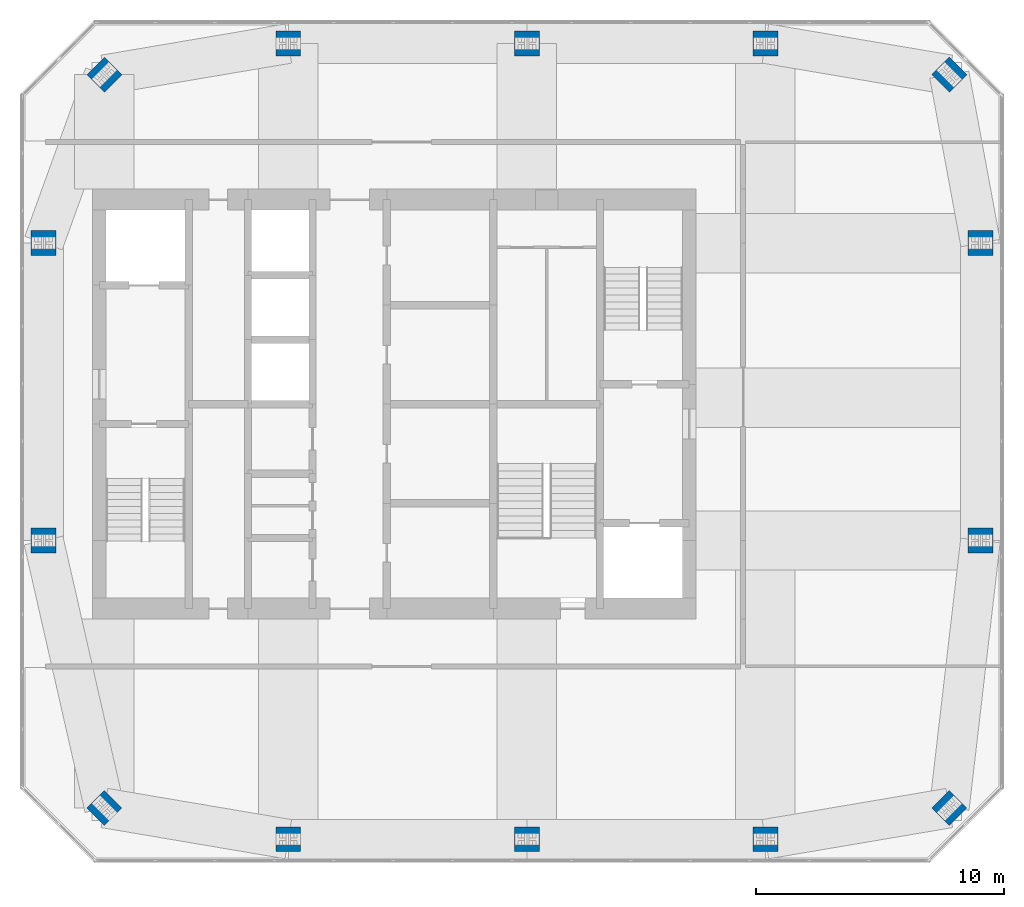
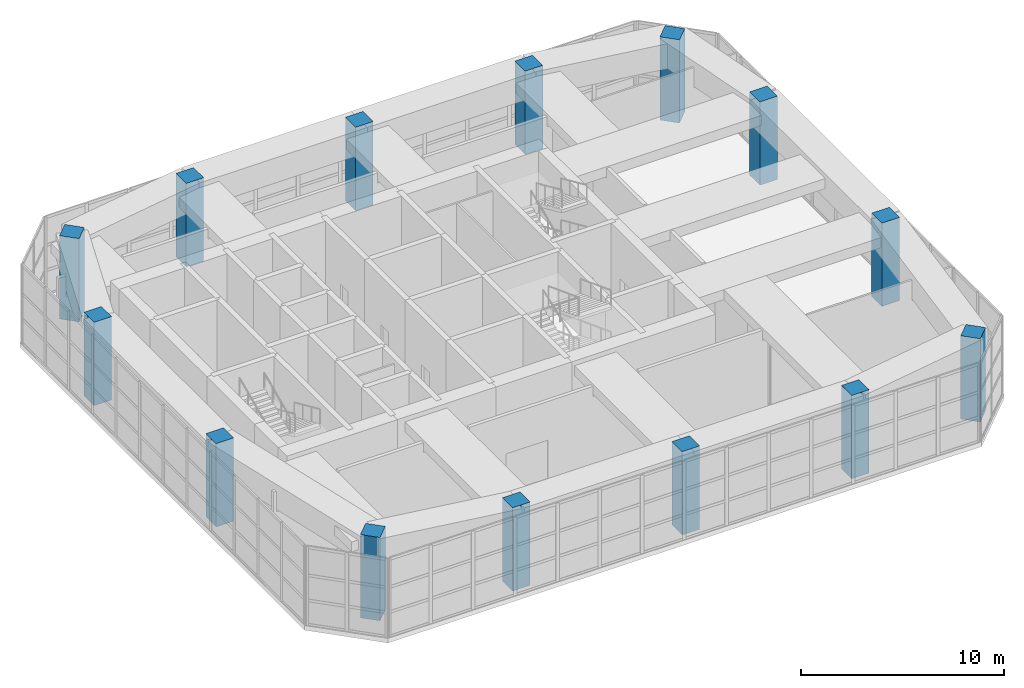
# One storey, part 1 of 14: 14 columns.
"""IFC4 building model written with IfcOpenShell, lengths in metres."""

from ifc_helpers import new_model, si_unit, direction, frame, origin, origin_2d, place, context, subcontext, project, spatial, rectangle, extrude, material, material_profile, profile_set, type_object, element, save


model = new_model("IFC4")

# Units and contexts
model_context = context("Model", 3, precision=1e-05, world=origin(), true_north=direction((0.0, 1.0)))
body_context = subcontext(model_context, "Body", "Model", "MODEL_VIEW")
ifc_project = project(units=[si_unit("LENGTHUNIT", "METRE"), si_unit("AREAUNIT", "SQUARE_METRE"), si_unit("VOLUMEUNIT", "CUBIC_METRE"), si_unit("PLANEANGLEUNIT", "RADIAN"), si_unit("MASSUNIT", "GRAM", prefix="KILO")], contexts=[model_context])

# Site, building, storey
site_placement = place(None, origin())
site = spatial("IfcSite", under=ifc_project, at=site_placement, CompositionType="ELEMENT")
building_placement = place(site_placement, origin())
building = spatial("IfcBuilding", under=site, at=building_placement, Name="Jalousie Tower", CompositionType="ELEMENT")
storey_placement = place(building_placement, frame((0.0, 0.0, 267.75)))
storey = spatial("IfcBuildingStorey", under=building, at=storey_placement, Name="L73", CompositionType="ELEMENT", Elevation=267.75)

# Columns
ifc_material = material(Name="Concrete f'c 120 MPa", Category="concrete")
ifc_material_profile = material_profile(ifc_material, rectangle(XDim=1.0, YDim=1.0, at=origin_2d()), Name="RC 1000x1000")
ifc_profile_set = profile_set([ifc_material_profile], Name="Concrete f'c 120 MPa")
column_type = type_object("IfcColumnType", Name="RC COLUMN 1000x1000", PredefinedType="COLUMN", material=ifc_profile_set)
for number, where, z_axis, x_axis, name in (
    (1, (20.20703125, 2.20703125, 0.0), (0.0, 0.0, 1.0), (0.707106781187, 0.707106781187, 0.0), "Column 01 L73"),
    (2, (27.625, 0.949951171875, 0.0), (0.0, 0.0, 1.0), (1.0, 0.0, 0.0), "Column 02 L73"),
    (3, (37.25, 0.949951171875, 0.0), (0.0, 0.0, 1.0), (1.0, 0.0, 0.0), "Column 03 L73"),
    (4, (46.875, 0.949951171875, 0.0), (0.0, 0.0, 1.0), (1.0, 0.0, 0.0), "Column 04 L73"),
    (5, (54.29296875, 2.20703125, 0.0), (0.0, 0.0, 1.0), (0.707106781187, 0.707106781187, 0.0), "Column 05 L73"),
    (6, (55.550048828125, 13.0, 0.0), (0.0, 0.0, 1.0), (1.0, 0.0, 0.0), "Column 06 L73"),
    (7, (55.550048828125, 25.0, 0.0), (0.0, 0.0, 1.0), (1.0, 0.0, 0.0), "Column 07 L73"),
    (8, (54.29296875, 31.79296875, 0.0), (0.0, 0.0, 1.0), (0.707106781187, 0.707106781187, 0.0), "Column 08 L73"),
    (9, (46.875, 33.050048828125, 0.0), (0.0, 0.0, 1.0), (1.0, 0.0, 0.0), "Column 09 L73"),
    (10, (37.25, 33.050048828125, 0.0), (0.0, 0.0, 1.0), (1.0, 0.0, 0.0), "Column 10 L73"),
    (11, (27.625, 33.050048828125, 0.0), (0.0, 0.0, 1.0), (1.0, 0.0, 0.0), "Column 11 L73"),
    (12, (20.20703125, 31.79296875, 0.0), (0.0, 0.0, 1.0), (0.707106781187, 0.707106781187, 0.0), "Column 12 L73"),
    (13, (17.75, 25.0, 0.0), (0.0, 0.0, 1.0), (1.0, 0.0, 0.0), "Column 13 L73"),
    (14, (17.75, 13.0, 0.0), (0.0, 0.0, 1.0), (1.0, 0.0, 0.0), "Column 14 L73"),
):
    element("IfcColumn", number, at=place(storey_placement, frame(where, z_axis=z_axis, x_axis=x_axis)), inside=storey, type_object=column_type, Name=name, PredefinedType="COLUMN", context=body_context, shape_type="SweptSolid", body=[
        extrude(rectangle(XDim=1.0, YDim=1.0, at=origin_2d()), origin(), (0.0, 0.0, 1.0), 5.0),
    ])

save(model, "model.ifc")
